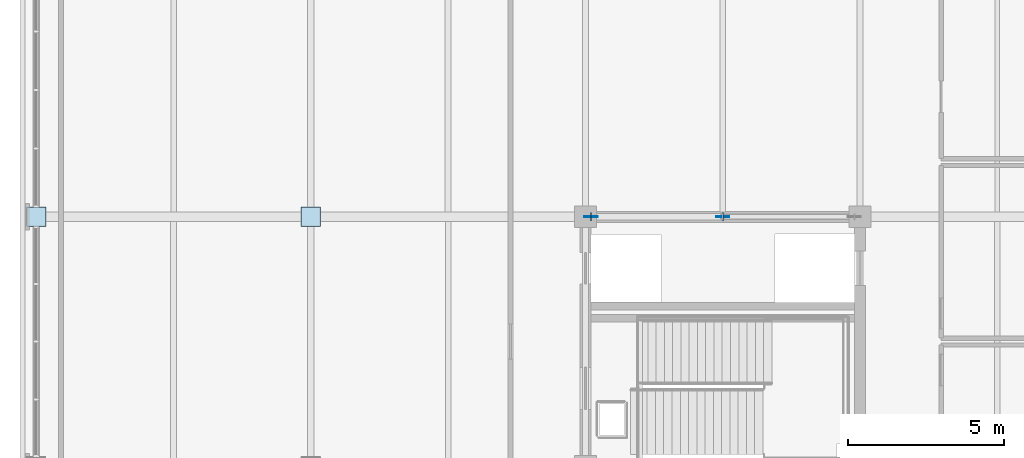
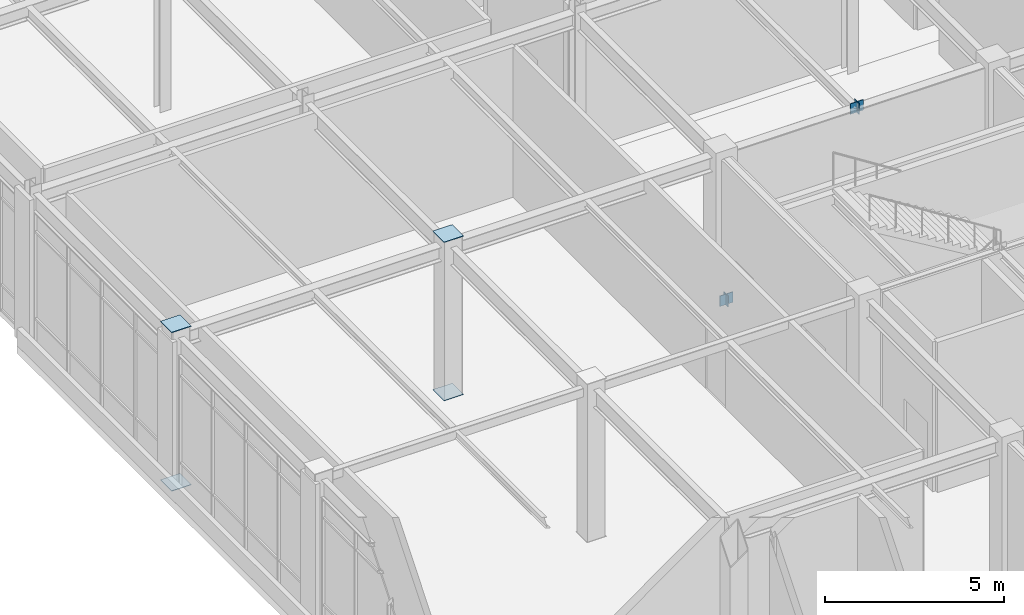
# One storey, part 132 of 184: 8 plates.
"""IFC4 building model written with IfcOpenShell, lengths in metres."""

from ifc_helpers import new_model, si_unit, direction, frame, origin, origin_2d, place, context, subcontext, project, spatial, rectangle, extrude, material, layer, layer_set, type_object, element, save


model = new_model("IFC4")

# Units and contexts
model_context = context("Model", 3, precision=1e-05, world=origin(), true_north=direction((0.0, 1.0)))
body_context = subcontext(model_context, "Body", "Model", "MODEL_VIEW")
ifc_project = project(units=[si_unit("LENGTHUNIT", "METRE"), si_unit("AREAUNIT", "SQUARE_METRE"), si_unit("VOLUMEUNIT", "CUBIC_METRE"), si_unit("PLANEANGLEUNIT", "RADIAN"), si_unit("MASSUNIT", "GRAM", prefix="KILO")], contexts=[model_context])

# Site, building, storey
site_placement = place(None, origin())
site = spatial("IfcSite", under=ifc_project, at=site_placement, CompositionType="ELEMENT")
building_placement = place(site_placement, origin())
building = spatial("IfcBuilding", under=site, at=building_placement, Name="Zhaolan Boulevard Law Courts", CompositionType="ELEMENT")
storey_placement = place(building_placement, frame((0.0, 0.0, 5.39990234375)))
storey = spatial("IfcBuildingStorey", under=building, at=storey_placement, Name="L01", CompositionType="ELEMENT", Elevation=5.39990234375)

# Plates
ifc_material_1 = material(Name="Structural steel Q355B", Category="steel")
ifc_layer_1 = layer(ifc_material_1, 0.02392578125)
ifc_layer_set_1 = layer_set([ifc_layer_1])
plate_type_1 = type_object("IfcPlateType", Name="BRACE GUSSET PLATE 24", PredefinedType="SHEET", material=ifc_layer_set_1)
for number, where, z_axis, x_axis, name in (
    (1, (17.780029296875, 70.0, -0.14990234375), (0.0, 0.0, 1.0), (1.0, 0.0, 0.0), "Brace Gusset Connection Plate GP-W2-L01-NA1"),
    (2, (22.0, 70.0, 4.93994140625), (0.0, 0.0, 1.0), (1.0, 0.0, 0.0), "Brace Gusset Connection Plate GP-W2-L01-NAPX"),
):
    element("IfcPlate", number, at=place(storey_placement, frame(where, z_axis=z_axis, x_axis=x_axis)), inside=storey, type_object=plate_type_1, Name=name, PredefinedType="SHEET", context=body_context, shape_type="SweptSolid", body=[
        extrude(rectangle(XDim=0.419921875, YDim=0.02392578125, at=origin_2d()), origin(), (0.0, 0.0, 1.0), 0.360107421875),
    ])
ifc_material_2 = material(Name="Structural steel Q355B", Category="steel")
ifc_layer_2 = layer(ifc_material_2, 0.02001953125)
ifc_layer_set_2 = layer_set([ifc_layer_2])
plate_type_2 = type_object("IfcPlateType", Name="END CAP PLATE 20", PredefinedType="SHEET", material=ifc_layer_set_2)
for number, where, z_axis, x_axis, name in (
    (3, (0.0, 70.0, -0.017822265625), (0.0, 0.0, 1.0), (1.0, 0.0, 0.0), "Hollow Section End-Cap Plate ECP-0113"),
    (4, (0.0, 70.0, 5.398193359375), (0.0, 0.0, 1.0), (1.0, 0.0, 0.0), "Hollow Section End-Cap Plate ECP-0114"),
    (5, (8.800048828125, 70.0, -0.017822265625), (0.0, 0.0, 1.0), (1.0, 0.0, 0.0), "Hollow Section End-Cap Plate ECP-0247"),
    (6, (8.800048828125, 70.0, 5.398193359375), (0.0, 0.0, 1.0), (1.0, 0.0, 0.0), "Hollow Section End-Cap Plate ECP-0248"),
):
    element("IfcPlate", number, at=place(storey_placement, frame(where, z_axis=z_axis, x_axis=x_axis)), inside=storey, type_object=plate_type_2, Name=name, PredefinedType="SHEET", context=body_context, shape_type="SweptSolid", body=[
        extrude(rectangle(XDim=0.6298828125, YDim=0.6298828125, at=origin_2d()), origin(), (0.0, 0.0, 1.0), 0.02001953125),
    ])
for number, where, z_axis, x_axis, name in (
    (7, (17.77490234375, 70.0, -0.1708984375), (0.0, 0.0, 1.0), (1.0, 0.0, 0.0), "Hollow Section End-Cap Plate ECP-1151"),
    (8, (22.005126953125, 70.0, 4.93115234375), (0.0, 0.0, 1.0), (1.0, 0.0, 0.0), "Hollow Section End-Cap Plate ECP-1152"),
):
    element("IfcPlate", number, at=place(storey_placement, frame(where, z_axis=z_axis, x_axis=x_axis)), inside=storey, type_object=plate_type_2, Name=name, PredefinedType="SHEET", context=body_context, shape_type="SweptSolid", body=[
        extrude(rectangle(XDim=0.02001953125, YDim=0.2490234375, at=origin_2d()), origin(), (0.0, 0.0, 1.0), 0.389892578125),
    ])

save(model, "model.ifc")
